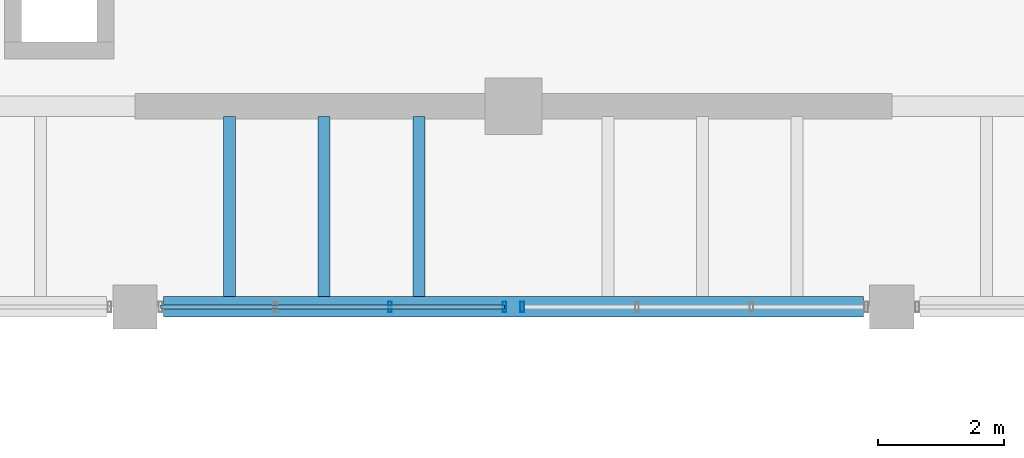
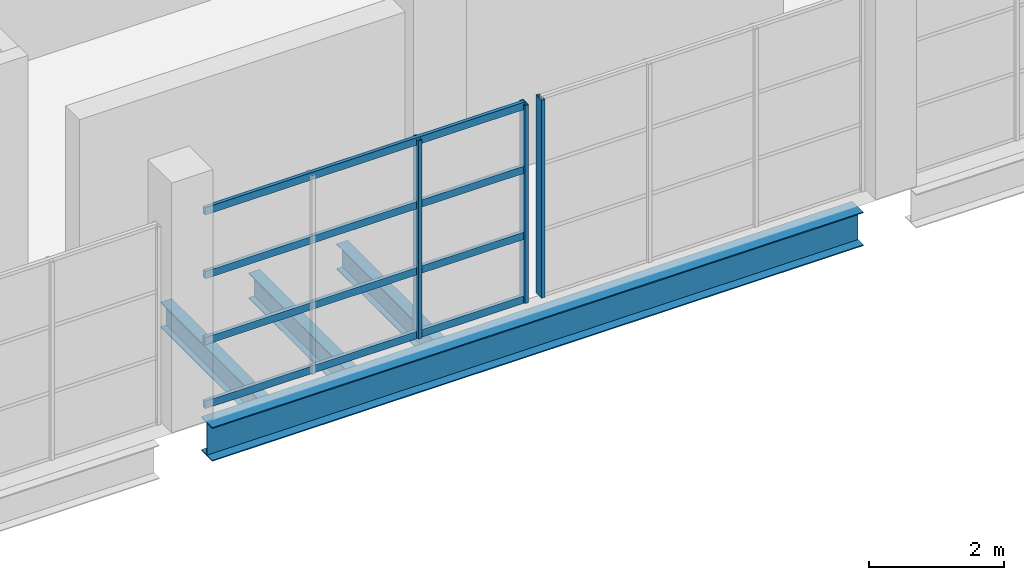
# One storey, part 18 of 63: 7 members, 4 beams, 2 elements without a shape of their own.
"""IFC4 building model written with IfcOpenShell, lengths in metres."""

from ifc_helpers import new_model, si_unit, direction, frame, origin, origin_2d, place, context, subcontext, project, spatial, hollow_rectangle, i_section, extrude, material, material_profile, profile_set, type_object, element, aggregate, save


model = new_model("IFC4")

# Units and contexts
model_context = context("Model", 3, precision=1e-05, world=origin(), true_north=direction((0.0, 1.0)))
body_context = subcontext(model_context, "Body", "Model", "MODEL_VIEW")
ifc_project = project(units=[si_unit("LENGTHUNIT", "METRE"), si_unit("AREAUNIT", "SQUARE_METRE"), si_unit("VOLUMEUNIT", "CUBIC_METRE"), si_unit("PLANEANGLEUNIT", "RADIAN"), si_unit("MASSUNIT", "GRAM", prefix="KILO")], contexts=[model_context])

# Site, building, storey
site_placement = place(None, origin())
site = spatial("IfcSite", under=ifc_project, at=site_placement, CompositionType="ELEMENT")
building_placement = place(site_placement, origin())
building = spatial("IfcBuilding", under=site, at=building_placement, Name="Kelmvaro Bay Concert Hall", CompositionType="ELEMENT")
storey_placement = place(building_placement, frame((0.0, 0.0, 13.800048828125)))
storey = spatial("IfcBuildingStorey", under=building, at=storey_placement, Name="L03", CompositionType="ELEMENT", Elevation=13.800048828125)

# Beam
ifc_material_1 = material(Name="Steel ASTM A992 Grade 50", Category="steel")
ifc_material_profile_1 = material_profile(ifc_material_1, i_section(OverallWidth=0.323974609375, OverallDepth=0.611083984375, WebThickness=0.0126953125, FlangeThickness=0.01904296875, at=origin_2d()), Name="W24X104")
ifc_profile_set_1 = profile_set([ifc_material_profile_1], Name="Steel ASTM A992 Grade 50")
beam_type_1 = type_object("IfcBeamType", Name="Foyer Frame Girder W24x104", PredefinedType="BEAM", material=ifc_profile_set_1)
beam_placement = place(storey_placement, frame((24.449951171875, 65.39990234375, -0.60546875), z_axis=(1.0, 0.0, 0.0), x_axis=(0.0, 1.0, 0.0)))
element("IfcBeam", 1, at=beam_placement, inside=storey, type_object=beam_type_1, Name="L03 Girder BM-L03-EW-1372", PredefinedType="BEAM", context=body_context, shape_type="SweptSolid", body=[
    extrude(i_section(OverallWidth=0.323974609375, OverallDepth=0.611083984375, WebThickness=0.0126953125, FlangeThickness=0.01904296875, at=origin_2d()), origin(), (0.0, 0.0, 1.0), 11.10009765625),
])

# Curtain wall, members
ifc_material_2 = material(Name="Anodised Aluminium and Low-E Insulated Glazing", Category="aluminium")
curtain_wall_type = type_object("IfcCurtainWallType", Name="Symphony South Gallery Curtain Wall 3920", PredefinedType="USERDEFINED", material=ifc_material_2)
curtain_wall_1_placement = place(storey_placement, origin())
curtain_wall_1 = element("IfcCurtainWall", 2, at=curtain_wall_1_placement, inside=storey, type_object=curtain_wall_type, Name="Unitised Curtain Wall CW-L03-024", ObjectType="UNITISED GLAZING", PredefinedType="USERDEFINED")
ifc_material_3 = material(Name="Anodised Extruded Aluminium 6063-T6", Category="aluminium")
ifc_material_profile_2 = material_profile(ifc_material_3, hollow_rectangle(XDim=0.06005859375, YDim=0.1650390625, WallThickness=0.00390625, at=origin_2d()), Name="ALU-MUL-165X60")
ifc_profile_set_2 = profile_set([ifc_material_profile_2], Name="Anodised Extruded Aluminium 6063-T6")
member_type_1 = type_object("IfcMemberType", Name="Gallery Mullion ALU 165x60", PredefinedType="MULLION", material=ifc_profile_set_2)
member_1_placement = place(storey_placement, frame((29.860107421875, 65.39990234375, 0.0), z_axis=(0.0, 0.0, 1.0), x_axis=(1.0, 0.0, 0.0)))
member_1 = element("IfcMember", 3, at=member_1_placement, type_object=member_type_1, Name="CW-L03-024 Mullion 01", PredefinedType="MULLION", context=body_context, shape_type="SweptSolid", body=[
    extrude(hollow_rectangle(XDim=0.06005859375, YDim=0.1650390625, WallThickness=0.00390625, at=origin_2d()), origin(), (0.0, 0.0, 1.0), 3.56884765625),
])
member_2_placement = place(storey_placement, frame((28.041748046875, 65.39990234375, 0.0), z_axis=(0.0, 0.0, 1.0), x_axis=(1.0, 0.0, 0.0)))
member_2 = element("IfcMember", 4, at=member_2_placement, type_object=member_type_1, Name="CW-L03-024 Mullion 02", PredefinedType="MULLION", context=body_context, shape_type="SweptSolid", body=[
    extrude(hollow_rectangle(XDim=0.06005859375, YDim=0.1650390625, WallThickness=0.00390625, at=origin_2d()), origin(), (0.0, 0.0, 1.0), 3.56884765625),
])

# Curtain wall, member
curtain_wall_2_placement = place(storey_placement, origin())
curtain_wall_2 = element("IfcCurtainWall", 5, at=curtain_wall_2_placement, inside=storey, type_object=curtain_wall_type, Name="Unitised Curtain Wall CW-L03-025", ObjectType="UNITISED GLAZING", PredefinedType="USERDEFINED")
member_3_placement = place(storey_placement, frame((30.139892578125, 65.39990234375, 0.0), z_axis=(0.0, 0.0, 1.0), x_axis=(1.0, 0.0, 0.0)))
member_3 = element("IfcMember", 6, at=member_3_placement, type_object=member_type_1, Name="CW-L03-025 Mullion 04", PredefinedType="MULLION", context=body_context, shape_type="SweptSolid", body=[
    extrude(hollow_rectangle(XDim=0.06005859375, YDim=0.1650390625, WallThickness=0.00390625, at=origin_2d()), origin(), (0.0, 0.0, 1.0), 3.56884765625),
])
aggregate(curtain_wall_2, [member_3])

# Member
ifc_material_4 = material(Name="Anodised Extruded Aluminium 6063-T6", Category="aluminium")
ifc_material_profile_3 = material_profile(ifc_material_4, hollow_rectangle(XDim=0.06005859375, YDim=0.135009765625, WallThickness=0.00390625, at=origin_2d()), Name="ALU-TRN-135X60")
ifc_profile_set_3 = profile_set([ifc_material_profile_3], Name="Anodised Extruded Aluminium 6063-T6")
member_type_2 = type_object("IfcMemberType", Name="Gallery Transom ALU 135x60", PredefinedType="USERDEFINED", material=ifc_profile_set_3)
member_4_placement = place(storey_placement, frame((29.860107421875, 65.39990234375, 0.0400390625), z_axis=(-1.0, 0.0, 0.0), x_axis=(0.0, -1.0, 0.0)))
member_4 = element("IfcMember", 7, at=member_4_placement, type_object=member_type_2, Name="CW-L03-024 Transom 01", ObjectType="TRANSOM", PredefinedType="USERDEFINED", context=body_context, shape_type="SweptSolid", body=[
    extrude(hollow_rectangle(XDim=0.06005859375, YDim=0.135009765625, WallThickness=0.00390625, at=origin_2d()), origin(), (0.0, 0.0, 1.0), 5.455078125),
])

member_5_placement = place(storey_placement, frame((29.860107421875, 65.39990234375, 1.189697265625), z_axis=(-1.0, 0.0, 0.0), x_axis=(0.0, -1.0, 0.0)))
member_5 = element("IfcMember", 8, at=member_5_placement, type_object=member_type_2, Name="CW-L03-024 Transom 02", ObjectType="TRANSOM", PredefinedType="USERDEFINED", context=body_context, shape_type="SweptSolid", body=[
    extrude(hollow_rectangle(XDim=0.06005859375, YDim=0.135009765625, WallThickness=0.00390625, at=origin_2d()), origin(), (0.0, 0.0, 1.0), 5.455078125),
])

member_6_placement = place(storey_placement, frame((29.860107421875, 65.39990234375, 2.379150390625), z_axis=(-1.0, 0.0, 0.0), x_axis=(0.0, -1.0, 0.0)))
member_6 = element("IfcMember", 9, at=member_6_placement, type_object=member_type_2, Name="CW-L03-024 Transom 03", ObjectType="TRANSOM", PredefinedType="USERDEFINED", context=body_context, shape_type="SweptSolid", body=[
    extrude(hollow_rectangle(XDim=0.06005859375, YDim=0.135009765625, WallThickness=0.00390625, at=origin_2d()), origin(), (0.0, 0.0, 1.0), 5.455078125),
])

member_7_placement = place(storey_placement, frame((29.860107421875, 65.39990234375, 3.529052734375), z_axis=(-1.0, 0.0, 0.0), x_axis=(0.0, -1.0, 0.0)))
member_7 = element("IfcMember", 10, at=member_7_placement, type_object=member_type_2, Name="CW-L03-024 Transom 04", ObjectType="TRANSOM", PredefinedType="USERDEFINED", context=body_context, shape_type="SweptSolid", body=[
    extrude(hollow_rectangle(XDim=0.06005859375, YDim=0.135009765625, WallThickness=0.00390625, at=origin_2d()), origin(), (0.0, 0.0, 1.0), 5.455078125),
])

aggregate(curtain_wall_1, [member_1, member_2, member_4, member_5, member_6, member_7])

# Beams
ifc_material_5 = material(Name="Steel ASTM A992 Grade 50", Category="steel")
ifc_material_profile_4 = material_profile(ifc_material_5, i_section(OverallWidth=0.19091796875, OverallDepth=0.45703125, WebThickness=0.009033203125, FlangeThickness=0.014404296875, at=origin_2d()), Name="W18X50")
ifc_profile_set_4 = profile_set([ifc_material_profile_4], Name="Steel ASTM A992 Grade 50")
beam_type_2 = type_object("IfcBeamType", Name="Standard Composite Floor Joist W18x50", PredefinedType="JOIST", material=ifc_profile_set_4)
for number, where, z_axis, x_axis, name in (
    (11, (25.5, 65.56201171875, -0.528564453125), (0.0, 1.0, 0.0), (-1.0, 0.0, 0.0), "L03 Floor Joist JST-L03-1603"),
    (12, (27.0, 65.56201171875, -0.528564453125), (0.0, 1.0, 0.0), (-1.0, 0.0, 0.0), "L03 Floor Joist JST-L03-1604"),
    (13, (28.5, 65.56201171875, -0.528564453125), (0.0, 1.0, 0.0), (-1.0, 0.0, 0.0), "L03 Floor Joist JST-L03-1605"),
):
    element("IfcBeam", number, at=place(storey_placement, frame(where, z_axis=z_axis, x_axis=x_axis)), inside=storey, type_object=beam_type_2, Name=name, PredefinedType="JOIST", context=body_context, shape_type="SweptSolid", body=[
        extrude(i_section(OverallWidth=0.19091796875, OverallDepth=0.45703125, WebThickness=0.009033203125, FlangeThickness=0.014404296875, at=origin_2d()), origin(), (0.0, 0.0, 1.0), 2.85595703125),
    ])

save(model, "model.ifc")
